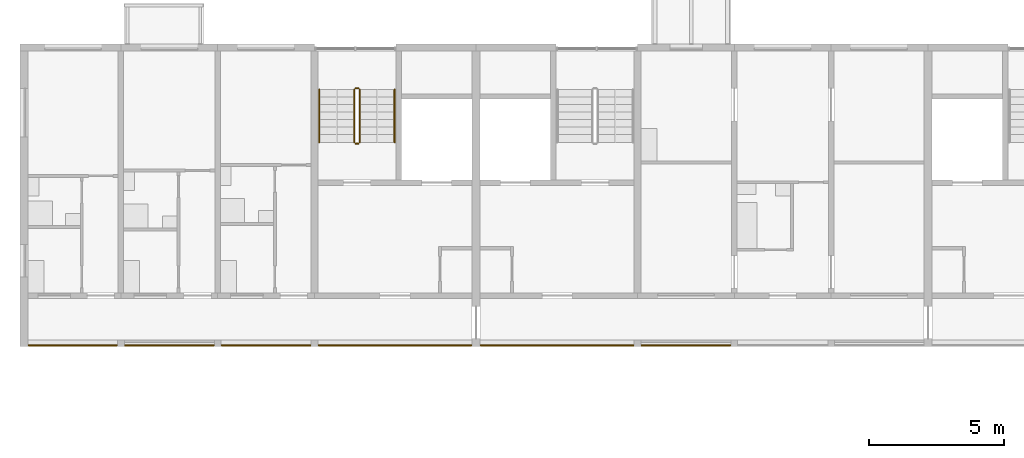
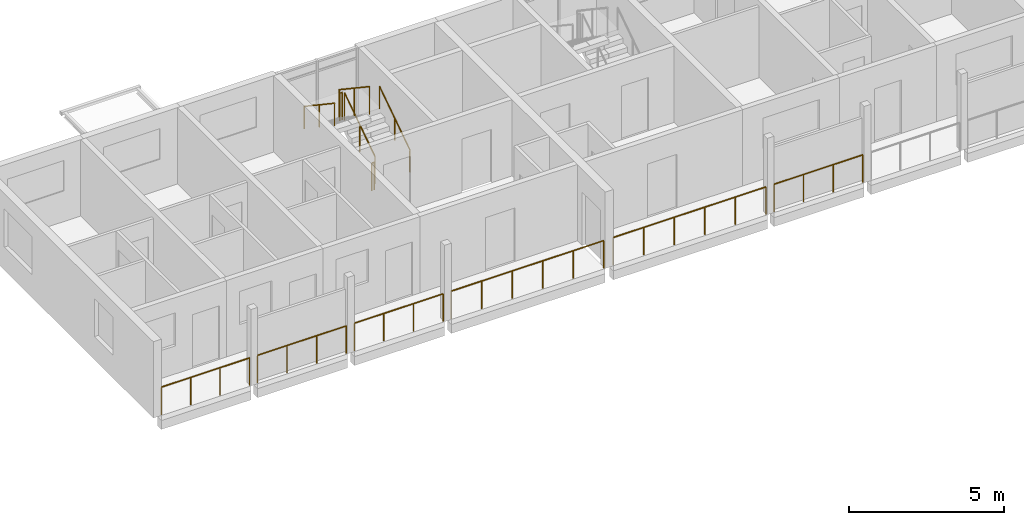
# One storey, part 80 of 99: 12 railings.
"""IFC4 building model written with IfcOpenShell, lengths in metres."""

import ifcopenshell
import ifcopenshell.guid

model = None  # the IFC model being written
_history = None  # IfcOwnerHistory: only IFC2X3 demands one
_inside = {}  # id of a spatial element -> (the spatial element, [elements in it])
_under = {}  # id of a project, library or spatial element -> (it, [spatial elements below it])
_declared = {}  # id of a project -> (the project, [libraries it declares])
_typed = {}  # id of a type object -> (the type object, [elements of that type])
_made_of = {}  # id of a material, layer set ... -> (it, [elements and type objects made of it])


def new_model(schema):
    """Start an empty IFC model of exactly this schema.

    Asked for "IFC4X3", IfcOpenShell would pick the latest addendum, in which some entities
    have other attributes; the version numbers below select the first issue.
    IFC2X3 requires an IfcOwnerHistory on every rooted entity: one is made here for all.
    """
    global model, _history
    if schema == "IFC4X3":
        model = ifcopenshell.file(schema_version=(4, 3, 0, 0))
    else:
        model = ifcopenshell.file(schema=schema)
    _inside.clear()
    _under.clear()
    _declared.clear()
    _typed.clear()
    _made_of.clear()
    _history = None
    if model.schema == "IFC2X3":
        org = make("IfcOrganization", Name="unknown")
        user = make(
            "IfcPersonAndOrganization",
            ThePerson=make("IfcPerson", FamilyName="unknown"),
            TheOrganization=org,
        )
        app = make(
            "IfcApplication",
            ApplicationDeveloper=org,
            Version="unknown",
            ApplicationFullName="unknown",
            ApplicationIdentifier="unknown",
        )
        _history = make(
            "IfcOwnerHistory",
            OwningUser=user,
            OwningApplication=app,
            ChangeAction="ADDED",
            CreationDate=0,
        )
    return model


def make(cls, **values):
    """One entity of the class cls with the attributes given. An attribute that is None is left unset."""
    return model.create_entity(
        cls, **{name: value for name, value in values.items() if value is not None}
    )


def rooted(cls, **values):
    """An entity with a GlobalId (a new one), such as an element, a storey or a relation."""
    return make(cls, GlobalId=ifcopenshell.guid.new(), OwnerHistory=_history, **values)


def si_unit(unit_type, name, prefix=None):
    """IfcSIUnit, for example si_unit("LENGTHUNIT", "METRE", prefix="MILLI")."""
    return make("IfcSIUnit", UnitType=unit_type, Prefix=prefix, Name=name)


def assignment(units):
    """IfcUnitAssignment: the units of a project."""
    return None if units is None else make("IfcUnitAssignment", Units=units)


def point(xyz):
    """IfcCartesianPoint."""
    return None if xyz is None else make("IfcCartesianPoint", Coordinates=xyz)


def direction(xyz):
    """IfcDirection."""
    return None if xyz is None else make("IfcDirection", DirectionRatios=xyz)


def frame(location, z_axis=None, x_axis=None):
    """IfcAxis2Placement3D, a coordinate frame: its origin and axes. An axis left out is left unset."""
    return make(
        "IfcAxis2Placement3D",
        Location=point(location),
        Axis=direction(z_axis),
        RefDirection=direction(x_axis),
    )


def frame_2d(location, x_axis=None):
    """IfcAxis2Placement2D, a coordinate frame in the plane: its origin and x axis."""
    return make(
        "IfcAxis2Placement2D", Location=point(location), RefDirection=direction(x_axis)
    )


def origin():
    """The frame at (0, 0, 0) with its axes left unset."""
    return frame((0.0, 0.0, 0.0))


def origin_2d():
    """The frame at (0, 0) in the plane with its x axis left unset."""
    return frame_2d((0.0, 0.0))


def place(relative_to, where):
    """IfcLocalPlacement: puts the frame where relative to a parent placement (None: the world)."""
    return make(
        "IfcLocalPlacement", PlacementRelTo=relative_to, RelativePlacement=where
    )


def context(
    kind, dimensions, precision=None, world=None, true_north=None, identifier=None
):
    """IfcGeometricRepresentationContext, for example the 3D "Model" context."""
    return make(
        "IfcGeometricRepresentationContext",
        ContextIdentifier=identifier,
        ContextType=kind,
        CoordinateSpaceDimension=dimensions,
        Precision=precision,
        WorldCoordinateSystem=world,
        TrueNorth=true_north,
    )


def subcontext(parent, identifier, kind, view, scale=None):
    """IfcGeometricRepresentationSubContext, for example "Body" below "Model"."""
    return make(
        "IfcGeometricRepresentationSubContext",
        ContextIdentifier=identifier,
        ContextType=kind,
        ParentContext=parent,
        TargetScale=scale,
        TargetView=view,
    )


def project(units=None, contexts=None):
    """IfcProject with its units and contexts."""
    return rooted(
        "IfcProject",
        Name="project",
        RepresentationContexts=contexts,
        UnitsInContext=assignment(units),
    )


def spatial(cls, under=None, at=None, **own):
    """A site, building, storey or space (cls), placed at a placement, below another one or the project."""
    s = rooted(cls, ObjectPlacement=at, **own)
    if under is not None:
        _under.setdefault(under.id(), (under, []))[1].append(s)
    return s


def profile(cls, at=None, kind="AREA", **sizes):
    """A parametric profile (cls). Its sizes go by their IFC names, for example OverallWidth=200.0."""
    return make(cls, ProfileType=kind, Position=at, **sizes)


def circle(**sizes):
    """IfcCircleProfileDef."""
    return profile("IfcCircleProfileDef", **sizes)


def extrude(swept, where, along, depth):
    """IfcExtrudedAreaSolid: the profile swept, set in the frame where, extruded along a direction by depth."""
    return make(
        "IfcExtrudedAreaSolid",
        SweptArea=swept,
        Position=where,
        ExtrudedDirection=direction(along),
        Depth=depth,
    )


def shape(context_of_items, identifier, shape_type, items):
    """IfcShapeRepresentation: the items that make up one representation, for example the "Body"."""
    return make(
        "IfcShapeRepresentation",
        ContextOfItems=context_of_items,
        RepresentationIdentifier=identifier,
        RepresentationType=shape_type,
        Items=items,
    )


def material(Name=None, Category=None):
    """IfcMaterial."""
    return make("IfcMaterial", Name=Name, Category=Category)


def made_of(thing, what):
    """Note that an element or type object is made of a material, layer set ...; save() writes the relation."""
    if what is not None:
        _made_of.setdefault(what.id(), (what, []))[1].append(thing)
    return thing


def type_object(cls, material=None, **own):
    """A type object (cls), such as IfcWallType, which elements share."""
    return made_of(rooted(cls, **own), material)


def element(
    cls,
    number,
    at=None,
    inside=None,
    cuts=None,
    type_object=None,
    material=None,
    context=None,
    identifier="Body",
    shape_type=None,
    held_by="IfcProductDefinitionShape",
    body=None,
    shapes=None,
    **own,
):
    """One element of the class cls, such as IfcWall. Its Tag is "e" and its number.

    at: its placement. inside: the storey or other place that contains it. cuts: it is an
    opening in that element (IfcRelVoidsElement). A single representation is given by context,
    identifier, shape_type and body (its items); several are given by shapes. held_by: the class
    of the entity that holds the representations. save() writes the other relations.
    """
    e = rooted(cls, Tag="e%d" % number, ObjectPlacement=at, **own)
    if body is not None:
        shapes = [shape(context, identifier, shape_type, body)]
    if shapes is not None:
        e.Representation = make(held_by, Representations=shapes)
    if inside is not None:
        _inside.setdefault(inside.id(), (inside, []))[1].append(e)
    if cuts is not None:
        rooted(
            "IfcRelVoidsElement", RelatingBuildingElement=cuts, RelatedOpeningElement=e
        )
    if type_object is not None:
        _typed.setdefault(type_object.id(), (type_object, []))[1].append(e)
    return made_of(e, material)


def aggregate(whole, parts):
    """IfcRelAggregates: a whole, such as a stair, and the parts it consists of."""
    return rooted("IfcRelAggregates", RelatingObject=whole, RelatedObjects=parts)


def save(model, path):
    """Write the relations noted so far, then the file.

    IfcRelAggregates (storeys below a building ...), IfcRelContainedInSpatialStructure (elements
    in a storey), IfcRelDefinesByType, IfcRelAssociatesMaterial and IfcRelDeclares: one each for
    every whole, place, type object, material and project.
    """
    for whole, parts in _under.values():
        aggregate(whole, parts)
    for where, things in _inside.values():
        rooted(
            "IfcRelContainedInSpatialStructure",
            RelatedElements=things,
            RelatingStructure=where,
        )
    for kind, things in _typed.values():
        rooted("IfcRelDefinesByType", RelatedObjects=things, RelatingType=kind)
    for what, things in _made_of.values():
        rooted("IfcRelAssociatesMaterial", RelatedObjects=things, RelatingMaterial=what)
    for by, libraries in _declared.values():
        rooted("IfcRelDeclares", RelatingContext=by, RelatedDefinitions=libraries)
    model.write(path)


model = new_model("IFC4")

# Units and contexts
model_context = context("Model", 3, precision=1e-05, world=origin(), true_north=direction((0.0, 1.0)))
body_context = subcontext(model_context, "Body", "Model", "MODEL_VIEW")
ifc_project = project(units=[si_unit("LENGTHUNIT", "METRE"), si_unit("AREAUNIT", "SQUARE_METRE"), si_unit("VOLUMEUNIT", "CUBIC_METRE"), si_unit("PLANEANGLEUNIT", "RADIAN"), si_unit("MASSUNIT", "GRAM", prefix="KILO")], contexts=[model_context])

# Site, building, storey
site_placement = place(None, origin())
site = spatial("IfcSite", under=ifc_project, at=site_placement, CompositionType="ELEMENT")
building_placement = place(site_placement, origin())
building = spatial("IfcBuilding", under=site, at=building_placement, Name="Ridgestep Commons", CompositionType="ELEMENT")
storey_placement = place(building_placement, frame((0.0, 0.0, 15.0)))
storey = spatial("IfcBuildingStorey", under=building, at=storey_placement, Name="L05", CompositionType="ELEMENT", Elevation=15.0)

# Railings
ifc_material_1 = material(Name="Structural steel S355JR", Category="steel")
railing_type_1 = type_object("IfcRailingType", Name="Guard 1100", PredefinedType="GUARDRAIL", material=ifc_material_1)
railing_1_placement = place(storey_placement, frame((12.1708984375, 66.050048828125, 0.0)))
element("IfcRailing", 1, at=railing_1_placement, inside=storey, type_object=railing_type_1, Name="Gallery guard B 05.1", PredefinedType="GUARDRAIL", context=body_context, shape_type="SweptSolid", body=[
    extrude(circle(Radius=0.02392578125, at=origin_2d()), frame((0.0, 0.0, 1.076171875), z_axis=(1.0, 0.0, 0.0), x_axis=(0.0, 1.0, 0.0)), (0.0, 0.0, 1.0), 3.283203125),
    extrude(circle(Radius=0.02099609375, at=origin_2d()), origin(), (0.0, 0.0, 1.0), 1.052001953125),
    extrude(circle(Radius=0.02099609375, at=origin_2d()), frame((1.094482421875, 0.0, 0.0)), (0.0, 0.0, 1.0), 1.052001953125),
    extrude(circle(Radius=0.02099609375, at=origin_2d()), frame((2.188720703125, 0.0, 0.0)), (0.0, 0.0, 1.0), 1.052001953125),
    extrude(circle(Radius=0.02099609375, at=origin_2d()), frame((3.283203125, 0.0, 0.0)), (0.0, 0.0, 1.0), 1.052001953125),
])
railing_2_placement = place(storey_placement, frame((15.74609375, 66.050048828125, 0.0)))
element("IfcRailing", 2, at=railing_2_placement, inside=storey, type_object=railing_type_1, Name="Gallery guard B 05.2", PredefinedType="GUARDRAIL", context=body_context, shape_type="SweptSolid", body=[
    extrude(circle(Radius=0.02392578125, at=origin_2d()), frame((0.0, 0.0, 1.076171875), z_axis=(1.0, 0.0, 0.0), x_axis=(0.0, 1.0, 0.0)), (0.0, 0.0, 1.0), 3.307861328125),
    extrude(circle(Radius=0.02099609375, at=origin_2d()), origin(), (0.0, 0.0, 1.0), 1.052001953125),
    extrude(circle(Radius=0.02099609375, at=origin_2d()), frame((1.1025390625, 0.0, 0.0)), (0.0, 0.0, 1.0), 1.052001953125),
    extrude(circle(Radius=0.02099609375, at=origin_2d()), frame((2.205322265625, 0.0, 0.0)), (0.0, 0.0, 1.0), 1.052001953125),
    extrude(circle(Radius=0.02099609375, at=origin_2d()), frame((3.307861328125, 0.0, 0.0)), (0.0, 0.0, 1.0), 1.052001953125),
])
railing_3_placement = place(storey_placement, frame((19.345947265625, 66.050048828125, 0.0)))
element("IfcRailing", 3, at=railing_3_placement, inside=storey, type_object=railing_type_1, Name="Gallery guard B 05.3", PredefinedType="GUARDRAIL", context=body_context, shape_type="SweptSolid", body=[
    extrude(circle(Radius=0.02392578125, at=origin_2d()), frame((0.0, 0.0, 1.076171875), z_axis=(1.0, 0.0, 0.0), x_axis=(0.0, 1.0, 0.0)), (0.0, 0.0, 1.0), 3.30810546875),
    extrude(circle(Radius=0.02099609375, at=origin_2d()), origin(), (0.0, 0.0, 1.0), 1.052001953125),
    extrude(circle(Radius=0.02099609375, at=origin_2d()), frame((1.102783203125, 0.0, 0.0)), (0.0, 0.0, 1.0), 1.052001953125),
    extrude(circle(Radius=0.02099609375, at=origin_2d()), frame((2.205322265625, 0.0, 0.0)), (0.0, 0.0, 1.0), 1.052001953125),
    extrude(circle(Radius=0.02099609375, at=origin_2d()), frame((3.30810546875, 0.0, 0.0)), (0.0, 0.0, 1.0), 1.052001953125),
])
railing_4_placement = place(storey_placement, frame((22.946044921875, 66.050048828125, 0.0)))
element("IfcRailing", 4, at=railing_4_placement, inside=storey, type_object=railing_type_1, Name="Gallery guard B 05.4", PredefinedType="GUARDRAIL", context=body_context, shape_type="SweptSolid", body=[
    extrude(circle(Radius=0.02392578125, at=origin_2d()), frame((0.0, 0.0, 1.076171875), z_axis=(1.0, 0.0, 0.0), x_axis=(0.0, 1.0, 0.0)), (0.0, 0.0, 1.0), 5.682861328125),
    extrude(circle(Radius=0.02099609375, at=origin_2d()), origin(), (0.0, 0.0, 1.0), 1.052001953125),
    extrude(circle(Radius=0.02099609375, at=origin_2d()), frame((1.136474609375, 0.0, 0.0)), (0.0, 0.0, 1.0), 1.052001953125),
    extrude(circle(Radius=0.02099609375, at=origin_2d()), frame((2.273193359375, 0.0, 0.0)), (0.0, 0.0, 1.0), 1.052001953125),
    extrude(circle(Radius=0.02099609375, at=origin_2d()), frame((3.40966796875, 0.0, 0.0)), (0.0, 0.0, 1.0), 1.052001953125),
    extrude(circle(Radius=0.02099609375, at=origin_2d()), frame((4.54638671875, 0.0, 0.0)), (0.0, 0.0, 1.0), 1.052001953125),
    extrude(circle(Radius=0.02099609375, at=origin_2d()), frame((5.682861328125, 0.0, 0.0)), (0.0, 0.0, 1.0), 1.052001953125),
])
railing_5_placement = place(storey_placement, frame((28.970947265625, 66.050048828125, 0.0)))
element("IfcRailing", 5, at=railing_5_placement, inside=storey, type_object=railing_type_1, Name="Gallery guard B 05.5", PredefinedType="GUARDRAIL", context=body_context, shape_type="SweptSolid", body=[
    extrude(circle(Radius=0.02392578125, at=origin_2d()), frame((0.0, 0.0, 1.076171875), z_axis=(1.0, 0.0, 0.0), x_axis=(0.0, 1.0, 0.0)), (0.0, 0.0, 1.0), 5.68310546875),
    extrude(circle(Radius=0.02099609375, at=origin_2d()), origin(), (0.0, 0.0, 1.0), 1.052001953125),
    extrude(circle(Radius=0.02099609375, at=origin_2d()), frame((1.13671875, 0.0, 0.0)), (0.0, 0.0, 1.0), 1.052001953125),
    extrude(circle(Radius=0.02099609375, at=origin_2d()), frame((2.273193359375, 0.0, 0.0)), (0.0, 0.0, 1.0), 1.052001953125),
    extrude(circle(Radius=0.02099609375, at=origin_2d()), frame((3.409912109375, 0.0, 0.0)), (0.0, 0.0, 1.0), 1.052001953125),
    extrude(circle(Radius=0.02099609375, at=origin_2d()), frame((4.54638671875, 0.0, 0.0)), (0.0, 0.0, 1.0), 1.052001953125),
    extrude(circle(Radius=0.02099609375, at=origin_2d()), frame((5.68310546875, 0.0, 0.0)), (0.0, 0.0, 1.0), 1.052001953125),
])
railing_6_placement = place(storey_placement, frame((34.946044921875, 66.050048828125, 0.0)))
element("IfcRailing", 6, at=railing_6_placement, inside=storey, type_object=railing_type_1, Name="Gallery guard B 05.6", PredefinedType="GUARDRAIL", context=body_context, shape_type="SweptSolid", body=[
    extrude(circle(Radius=0.02392578125, at=origin_2d()), frame((0.0, 0.0, 1.076171875), z_axis=(1.0, 0.0, 0.0), x_axis=(0.0, 1.0, 0.0)), (0.0, 0.0, 1.0), 3.307861328125),
    extrude(circle(Radius=0.02099609375, at=origin_2d()), origin(), (0.0, 0.0, 1.0), 1.052001953125),
    extrude(circle(Radius=0.02099609375, at=origin_2d()), frame((1.1025390625, 0.0, 0.0)), (0.0, 0.0, 1.0), 1.052001953125),
    extrude(circle(Radius=0.02099609375, at=origin_2d()), frame((2.205322265625, 0.0, 0.0)), (0.0, 0.0, 1.0), 1.052001953125),
    extrude(circle(Radius=0.02099609375, at=origin_2d()), frame((3.307861328125, 0.0, 0.0)), (0.0, 0.0, 1.0), 1.052001953125),
])
ifc_material_2 = material(Name="Structural steel S355JR", Category="steel")
railing_type_2 = type_object("IfcRailingType", Name="Stair guard 1100", PredefinedType="GUARDRAIL", material=ifc_material_2)
railing_7_placement = place(storey_placement, frame((24.47509765625, 73.60009765625, 0.1875)))
element("IfcRailing", 7, at=railing_7_placement, inside=storey, type_object=railing_type_2, Name="L05 B1C stair guard 1", PredefinedType="GUARDRAIL", context=body_context, shape_type="SweptSolid", body=[
    extrude(circle(Radius=0.02392578125, at=origin_2d()), frame((0.0, 0.0, 1.076171875), z_axis=(0.0, 0.830902050051, 0.556418712142), x_axis=(-1.0, 0.0, 0.0)), (0.0, 0.0, 1.0), 2.35888671875),
    extrude(circle(Radius=0.02099609375, at=origin_2d()), origin(), (0.0, 0.0, 1.0), 1.052001953125),
    extrude(circle(Radius=0.02099609375, at=origin_2d()), frame((0.0, 0.97998046875, 0.65625)), (0.0, 0.0, 1.0), 1.052001953125),
    extrude(circle(Radius=0.02099609375, at=origin_2d()), frame((0.0, 1.9599609375, 1.3125)), (0.0, 0.0, 1.0), 1.052001953125),
])
railing_8_placement = place(storey_placement, frame((24.425048828125, 75.610107421875, 1.5)))
element("IfcRailing", 8, at=railing_8_placement, inside=storey, type_object=railing_type_2, Name="L05 B1C stair guard 2", PredefinedType="GUARDRAIL", context=body_context, shape_type="SweptSolid", body=[
    extrude(circle(Radius=0.02392578125, at=origin_2d()), frame((0.0, 0.0, 1.076171875), z_axis=(-1.0, 0.0, 0.0), x_axis=(0.0, -1.0, 0.0)), (0.0, 0.0, 1.0), 0.10009765625),
    extrude(circle(Radius=0.02099609375, at=origin_2d()), origin(), (0.0, 0.0, 1.0), 1.052001953125),
    extrude(circle(Radius=0.02099609375, at=origin_2d()), frame((-0.10009765625, 0.0, 0.0)), (0.0, 0.0, 1.0), 1.052001953125),
])
railing_9_placement = place(storey_placement, frame((24.27490234375, 75.56005859375, 1.6875)))
element("IfcRailing", 9, at=railing_9_placement, inside=storey, type_object=railing_type_2, Name="L05 B1C stair guard 3", PredefinedType="GUARDRAIL", context=body_context, shape_type="SweptSolid", body=[
    extrude(circle(Radius=0.02392578125, at=origin_2d()), frame((0.0, 0.0, 1.076171875), z_axis=(0.0, -0.830902050051, 0.556418712142), x_axis=(1.0, 0.0, 0.0)), (0.0, 0.0, 1.0), 2.35888671875),
    extrude(circle(Radius=0.02099609375, at=origin_2d()), origin(), (0.0, 0.0, 1.0), 1.052001953125),
    extrude(circle(Radius=0.02099609375, at=origin_2d()), frame((0.0, -0.97998046875, 0.65625)), (0.0, 0.0, 1.0), 1.052001953125),
    extrude(circle(Radius=0.02099609375, at=origin_2d()), frame((0.0, -1.9599609375, 1.3125)), (0.0, 0.0, 1.0), 1.052001953125),
])
railing_10_placement = place(storey_placement, frame((24.425048828125, 73.550048828125, 0.0)))
element("IfcRailing", 10, at=railing_10_placement, inside=storey, type_object=railing_type_2, Name="L05 B1C stair guard 4", PredefinedType="GUARDRAIL", context=body_context, shape_type="SweptSolid", body=[
    extrude(circle(Radius=0.02392578125, at=origin_2d()), frame((0.0, 0.0, 1.076171875), z_axis=(-1.0, 0.0, 0.0), x_axis=(0.0, -1.0, 0.0)), (0.0, 0.0, 1.0), 0.10009765625),
    extrude(circle(Radius=0.02099609375, at=origin_2d()), origin(), (0.0, 0.0, 1.0), 1.052001953125),
    extrude(circle(Radius=0.02099609375, at=origin_2d()), frame((-0.10009765625, 0.0, 0.0)), (0.0, 0.0, 1.0), 1.052001953125),
])
ifc_material_3 = material(Name="Structural steel S355JR", Category="steel")
railing_type_3 = type_object("IfcRailingType", Name="Stair handrail 900", PredefinedType="HANDRAIL", material=ifc_material_3)
railing_11_placement = place(storey_placement, frame((25.77490234375, 73.60009765625, 0.1875)))
element("IfcRailing", 11, at=railing_11_placement, inside=storey, type_object=railing_type_3, Name="L05 B1C stair handrail 1", PredefinedType="HANDRAIL", context=body_context, shape_type="SweptSolid", body=[
    extrude(circle(Radius=0.02392578125, at=origin_2d()), frame((0.0, 0.0, 0.8759765625), z_axis=(0.0, 0.830902050051, 0.556418712142), x_axis=(-1.0, 0.0, 0.0)), (0.0, 0.0, 1.0), 2.35888671875),
    extrude(circle(Radius=0.02099609375, at=origin_2d()), origin(), (0.0, 0.0, 1.0), 0.851806640625),
    extrude(circle(Radius=0.02099609375, at=origin_2d()), frame((0.0, 0.97998046875, 0.65625)), (0.0, 0.0, 1.0), 0.851806640625),
    extrude(circle(Radius=0.02099609375, at=origin_2d()), frame((0.0, 1.9599609375, 1.3125)), (0.0, 0.0, 1.0), 0.851806640625),
])
railing_12_placement = place(storey_placement, frame((22.97509765625, 75.56005859375, 1.6875)))
element("IfcRailing", 12, at=railing_12_placement, inside=storey, type_object=railing_type_3, Name="L05 B1C stair handrail 2", PredefinedType="HANDRAIL", context=body_context, shape_type="SweptSolid", body=[
    extrude(circle(Radius=0.02392578125, at=origin_2d()), frame((0.0, 0.0, 0.8759765625), z_axis=(0.0, -0.830902050051, 0.556418712142), x_axis=(1.0, 0.0, 0.0)), (0.0, 0.0, 1.0), 2.35888671875),
    extrude(circle(Radius=0.02099609375, at=origin_2d()), origin(), (0.0, 0.0, 1.0), 0.851806640625),
    extrude(circle(Radius=0.02099609375, at=origin_2d()), frame((0.0, -0.97998046875, 0.65625)), (0.0, 0.0, 1.0), 0.851806640625),
    extrude(circle(Radius=0.02099609375, at=origin_2d()), frame((0.0, -1.9599609375, 1.3125)), (0.0, 0.0, 1.0), 0.851806640625),
])

save(model, "model.ifc")
